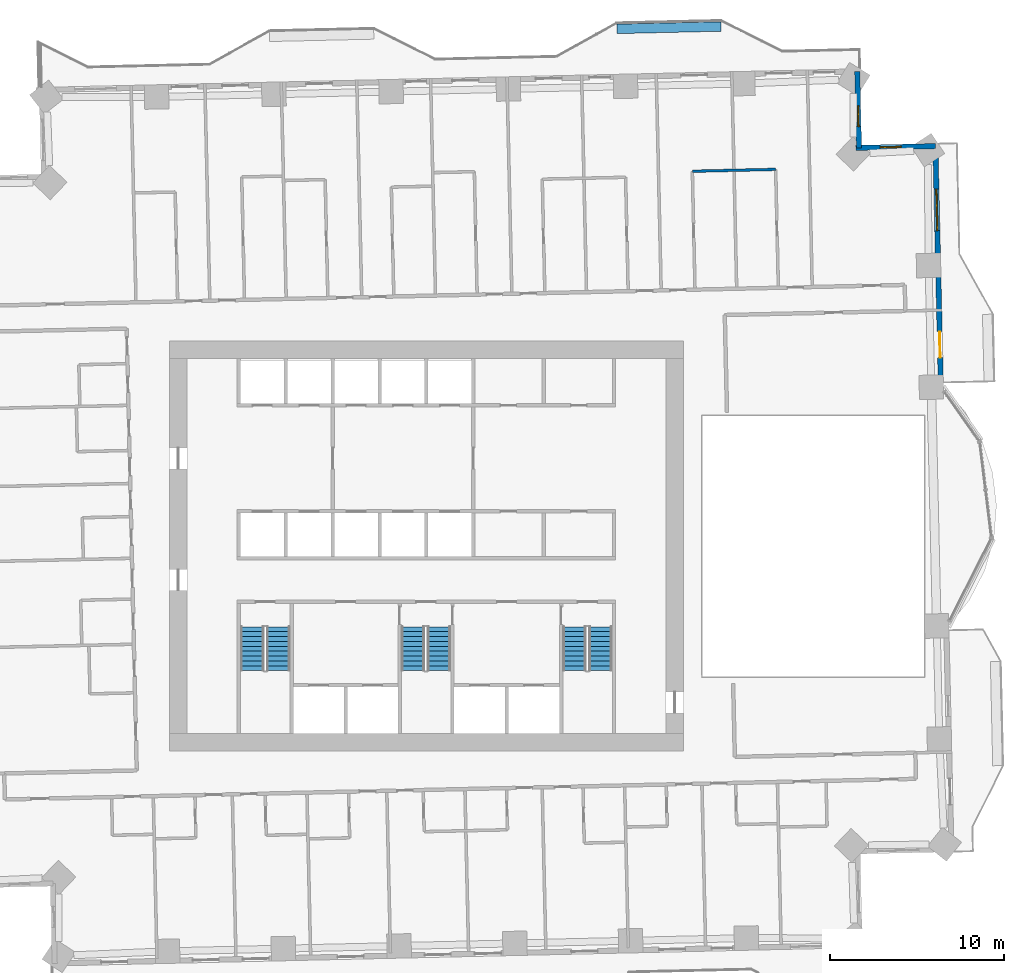
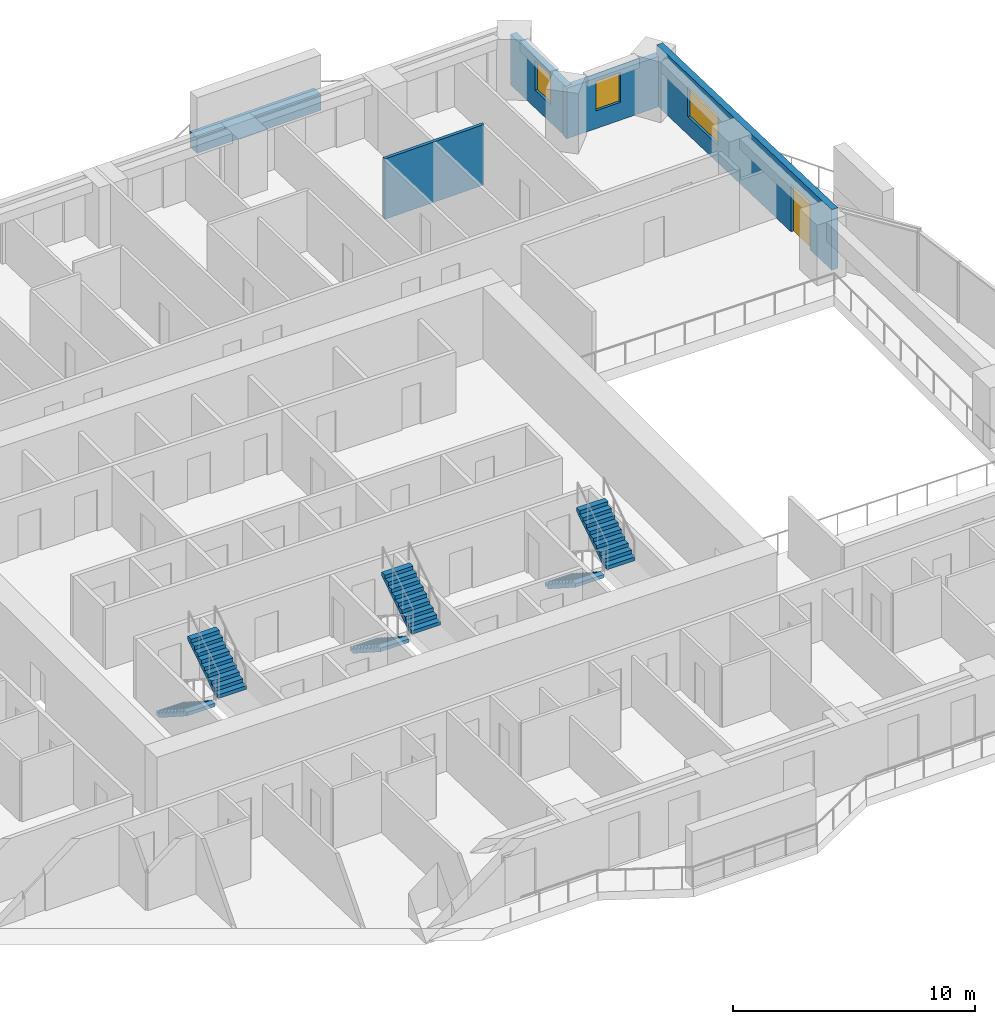
# One storey, part 13 of 17: 6 stair flights, 5 walls, 3 windows, 1 door, 4 openings, 3 elements without a shape of their own.
"""IFC4 building model written with IfcOpenShell, lengths in metres."""

from ifc_helpers import new_model, si_unit, direction, frame, frame_2d, origin, place, context, subcontext, project, spatial, polyline, rectangle, outline, extrude, material, layer, layer_set, type_object, element, fill, aggregate, save


model = new_model("IFC4")

# Units and contexts
model_context = context("Model", 3, precision=1e-05, world=origin(), true_north=direction((0.0, 1.0)))
body_context = subcontext(model_context, "Body", "Model", "MODEL_VIEW")
ifc_project = project(units=[si_unit("LENGTHUNIT", "METRE"), si_unit("AREAUNIT", "SQUARE_METRE"), si_unit("VOLUMEUNIT", "CUBIC_METRE"), si_unit("PLANEANGLEUNIT", "RADIAN"), si_unit("MASSUNIT", "GRAM", prefix="KILO")], contexts=[model_context])

# Site, building, storey
site_placement = place(None, origin())
site = spatial("IfcSite", under=ifc_project, at=site_placement, CompositionType="ELEMENT")
building_placement = place(site_placement, origin())
building = spatial("IfcBuilding", under=site, at=building_placement, Name="Mangrove Gate Tower", CompositionType="ELEMENT")
storey_placement = place(building_placement, frame((0.0, 0.0, 93.699951171875)))
storey = spatial("IfcBuildingStorey", under=building, at=storey_placement, Name="L23", CompositionType="ELEMENT", Elevation=93.699951171875)

# Wall, openings, door, window
ifc_material_1 = material(Name="Limestone", Category="masonry")
ifc_layer_1 = layer(ifc_material_1, 0.0400390625, Name="Limestone cladding")
ifc_material_2 = material(Name="Ventilated air gap")
ifc_layer_2 = layer(ifc_material_2, 0.0400390625, Name="Ventilated cavity")
ifc_material_3 = material(Name="Mineral wool insulation")
ifc_layer_3 = layer(ifc_material_3, 0.06005859375, Name="Insulation")
ifc_material_4 = material(Name="Breather membrane")
ifc_layer_4 = layer(ifc_material_4, 0.001953125, Name="Breather membrane")
ifc_material_5 = material(Name="Concrete C20/25 blockwork", Category="masonry")
ifc_layer_5 = layer(ifc_material_5, 0.14990234375, Name="Blockwork backing wall")
ifc_material_6 = material(Name="Gypsum plaster")
ifc_layer_6 = layer(ifc_material_6, 0.008056640625, Name="Internal plaster")
ifc_layer_set_1 = layer_set([ifc_layer_1, ifc_layer_2, ifc_layer_3, ifc_layer_4, ifc_layer_5, ifc_layer_6], Name="External wall 300 limestone cladding")
wall_type_1 = type_object("IfcWallType", Name="External wall 300 limestone cladding", PredefinedType="SOLIDWALL", material=ifc_layer_set_1)
wall_1_placement = place(storey_placement, frame((29.6240234375, 9.10791015625, 0.0), z_axis=(0.0, 0.0, 1.0), x_axis=(-0.022679601751, 0.999742784752, 0.0)))
wall_1 = element("IfcWall", 1, at=wall_1_placement, inside=storey, type_object=wall_type_1, Name="WALL-L23-E2", PredefinedType="SOLIDWALL", context=body_context, shape_type="SweptSolid", body=[
    extrude(rectangle(XDim=13.9296875, YDim=0.300048828125, at=frame_2d((6.96484375, 0.0))), origin(), (0.0, 0.0, 1.0), 3.050048828125),
])
opening_1_placement = place(wall_1_placement, frame((1.741943359375, 0.0, 0.0)))
opening_1 = element("IfcOpeningElement", 2, at=opening_1_placement, cuts=wall_1, Name="Opening BD1", PredefinedType="OPENING", context=body_context, shape_type="SweptSolid", body=[
    extrude(rectangle(XDim=1.5, YDim=2.39990234375, at=frame_2d((0.75, 1.199951171875))), frame((0.0, 0.159912109375, 0.0), z_axis=(0.0, -1.0, 0.0), x_axis=(1.0, 0.0, 0.0)), (0.0, 0.0, 1.0), 0.320068359375),
])
opening_2_placement = place(wall_1_placement, frame((9.053955078125, 0.0, 0.89990234375)))
opening_2 = element("IfcOpeningElement", 3, at=opening_2_placement, cuts=wall_1, Name="Opening W2", PredefinedType="OPENING", context=body_context, shape_type="SweptSolid", body=[
    extrude(rectangle(XDim=2.39990234375, YDim=1.5, at=frame_2d((1.199951171875, 0.75))), frame((0.0, 0.159912109375, 0.0), z_axis=(0.0, -1.0, 0.0), x_axis=(1.0, 0.0, 0.0)), (0.0, 0.0, 1.0), 0.320068359375),
])
ifc_material_7 = material(Name="Aluminium frame with laminated clear glass", Category="aluminium")
door_type = type_object("IfcDoorType", Name="Balcony sliding door 1500x2400", OperationType="SLIDING_TO_LEFT", PredefinedType="DOOR", material=ifc_material_7)
door_placement = place(opening_1_placement, origin())
door = element("IfcDoor", 4, at=door_placement, inside=storey, type_object=door_type, Name="DOOR-L23-E2-1", OperationType="SLIDING_TO_LEFT", OverallHeight=2.39990234375, OverallWidth=1.5, PredefinedType="DOOR", context=body_context, shape_type="SweptSolid", body=[
    extrude(rectangle(XDim=1.5, YDim=2.39990234375, at=frame_2d((0.75, 1.199951171875))), frame((0.0, 0.02490234375, 0.0), z_axis=(0.0, -1.0, 0.0), x_axis=(1.0, 0.0, 0.0)), (0.0, 0.0, 1.0), 0.050048828125),
])
fill(opening_1, door)
ifc_material_8 = material(Name="Aluminium frame with double-glazed low-e glass", Category="aluminium")
window_type_1 = type_object("IfcWindowType", Name="Corner room window 2400x1500", PartitioningType="DOUBLE_PANEL_VERTICAL", PredefinedType="WINDOW", material=ifc_material_8)
window_1_placement = place(opening_2_placement, origin())
window_1 = element("IfcWindow", 5, at=window_1_placement, inside=storey, type_object=window_type_1, Name="WIN-L23-E2-2", OverallHeight=1.5, OverallWidth=2.39990234375, PartitioningType="DOUBLE_PANEL_VERTICAL", PredefinedType="WINDOW", context=body_context, shape_type="SweptSolid", body=[
    extrude(rectangle(XDim=2.39990234375, YDim=1.5, at=frame_2d((1.199951171875, 0.75))), frame((0.0, 0.030029296875, 0.0), z_axis=(0.0, -1.0, 0.0), x_axis=(1.0, 0.0, 0.0)), (0.0, 0.0, 1.0), 0.06005859375),
])
fill(opening_2, window_1)

# Wall, opening, window
wall_2_placement = place(storey_placement, frame((29.30810546875, 23.033935546875, 0.0), z_axis=(0.0, 0.0, 1.0), x_axis=(-0.999742851358, -0.022676665496, 0.0)))
wall_2 = element("IfcWall", 6, at=wall_2_placement, inside=storey, type_object=wall_type_1, Name="WALL-L23-N3s1", PredefinedType="SOLIDWALL", context=body_context, shape_type="SweptSolid", body=[
    extrude(rectangle(XDim=4.58642578125, YDim=0.300048828125, at=frame_2d((2.293212890625, 0.0))), origin(), (0.0, 0.0, 1.0), 2.550048828125),
])
opening_3_placement = place(wall_2_placement, frame((1.98095703125, 0.0, 0.89990234375)))
opening_3 = element("IfcOpeningElement", 7, at=opening_3_placement, cuts=wall_2, Name="Opening W1", PredefinedType="OPENING", context=body_context, shape_type="SweptSolid", body=[
    extrude(rectangle(XDim=1.199951171875, YDim=1.5, at=frame_2d((0.60009765625, 0.75))), frame((0.0, 0.159912109375, 0.0), z_axis=(0.0, -1.0, 0.0), x_axis=(1.0, 0.0, 0.0)), (0.0, 0.0, 1.0), 0.320068359375),
])
ifc_material_9 = material(Name="Aluminium frame with double-glazed low-e glass", Category="aluminium")
window_type_2 = type_object("IfcWindowType", Name="Side lite 1200x1500", PartitioningType="SINGLE_PANEL", PredefinedType="WINDOW", material=ifc_material_9)
window_2_placement = place(opening_3_placement, origin())
window_2 = element("IfcWindow", 8, at=window_2_placement, inside=storey, type_object=window_type_2, Name="WIN-L23-N3-1", OverallHeight=1.5, OverallWidth=1.199951171875, PartitioningType="SINGLE_PANEL", PredefinedType="WINDOW", context=body_context, shape_type="SweptSolid", body=[
    extrude(rectangle(XDim=1.199951171875, YDim=1.5, at=frame_2d((0.60009765625, 0.75))), frame((0.0, 0.030029296875, 0.0), z_axis=(0.0, -1.0, 0.0), x_axis=(1.0, 0.0, 0.0)), (0.0, 0.0, 1.0), 0.06005859375),
])
fill(opening_3, window_2)

wall_3_placement = place(storey_placement, frame((24.908935546875, 22.93408203125, 0.0), z_axis=(0.0, 0.0, 1.0), x_axis=(-0.022693676786, 0.999742465355, 0.0)))
wall_3 = element("IfcWall", 9, at=wall_3_placement, inside=storey, type_object=wall_type_1, Name="WALL-L23-E4", PredefinedType="SOLIDWALL", context=body_context, shape_type="SweptSolid", body=[
    extrude(rectangle(XDim=4.400146484375, YDim=0.300048828125, at=frame_2d((2.2001953125, 0.0))), origin(), (0.0, 0.0, 1.0), 2.550048828125),
])
opening_4_placement = place(wall_3_placement, frame((1.219970703125, 0.0, 0.89990234375)))
opening_4 = element("IfcOpeningElement", 10, at=opening_4_placement, cuts=wall_3, Name="Opening W1", PredefinedType="OPENING", context=body_context, shape_type="SweptSolid", body=[
    extrude(rectangle(XDim=1.199951171875, YDim=1.5, at=frame_2d((0.60009765625, 0.75))), frame((0.0, 0.159912109375, 0.0), z_axis=(0.0, -1.0, 0.0), x_axis=(1.0, 0.0, 0.0)), (0.0, 0.0, 1.0), 0.320068359375),
])
window_3_placement = place(opening_4_placement, origin())
window_3 = element("IfcWindow", 11, at=window_3_placement, inside=storey, type_object=window_type_2, Name="WIN-L23-E4-1", OverallHeight=1.5, OverallWidth=1.199951171875, PartitioningType="SINGLE_PANEL", PredefinedType="WINDOW", context=body_context, shape_type="SweptSolid", body=[
    extrude(rectangle(XDim=1.199951171875, YDim=1.5, at=frame_2d((0.60009765625, 0.75))), frame((0.0, 0.030029296875, 0.0), z_axis=(0.0, -1.0, 0.0), x_axis=(1.0, 0.0, 0.0)), (0.0, 0.0, 1.0), 0.06005859375),
])
fill(opening_4, window_3)

# Walls
ifc_material_10 = material(Name="Gypsum board on steel stud, EI 60", Category="steel")
ifc_layer_7 = layer(ifc_material_10, 0.14990234375)
ifc_layer_set_2 = layer_set([ifc_layer_7], Name="Party wall 150 EI 60")
wall_type_2 = type_object("IfcWallType", Name="Party wall 150 EI 60", PredefinedType="PARTITIONING", material=ifc_layer_set_2)
wall_4_placement = place(storey_placement, frame((15.31494140625, 21.5859375, 0.0), z_axis=(0.0, 0.0, 1.0), x_axis=(0.99974154664, 0.022734113616, 0.0)))
element("IfcWall", 12, at=wall_4_placement, inside=storey, type_object=wall_type_2, Name="WALL-L23-083", PredefinedType="PARTITIONING", context=body_context, shape_type="SweptSolid", body=[
    extrude(rectangle(XDim=4.80029296875, YDim=0.14990234375, at=frame_2d((2.400146484375, 0.0))), origin(), (0.0, 0.0, 1.0), 3.050048828125),
])
ifc_material_11 = material(Name="Concrete C32/40", Category="concrete")
ifc_layer_8 = layer(ifc_material_11, 0.199951171875, Name="Planter trough wall")
ifc_material_12 = material(Name="Bituminous waterproofing membrane")
ifc_layer_9 = layer(ifc_material_12, 0.0048828125, Name="Waterproofing")
ifc_material_13 = material(Name="Drainage board and gravel")
ifc_layer_10 = layer(ifc_material_13, 0.044921875, Name="Drainage layer")
ifc_material_14 = material(Name="Planting soil")
ifc_layer_11 = layer(ifc_material_14, 0.300048828125, Name="Growing medium")
ifc_layer_set_3 = layer_set([ifc_layer_8, ifc_layer_9, ifc_layer_10, ifc_layer_11], Name="Planter wall 550 C32/40")
wall_type_3 = type_object("IfcWallType", Name="Planter wall 550 C32/40", PredefinedType="USERDEFINED", material=ifc_layer_set_3)
wall_5_placement = place(storey_placement, frame((10.964111328125, 29.784912109375, 0.0), z_axis=(0.0, 0.0, 1.0), x_axis=(0.999743073592, 0.022666865795, 0.0)))
element("IfcWall", 13, at=wall_5_placement, inside=storey, type_object=wall_type_3, Name="PLANTER L23 N0.1", ObjectType="PLANTER", PredefinedType="USERDEFINED", context=body_context, shape_type="SweptSolid", body=[
    extrude(rectangle(XDim=5.999267578125, YDim=0.550048828125, at=frame_2d((2.99951171875, 0.0))), origin(), (0.0, 0.0, 1.0), 0.800048828125),
])

# Stair, stair flights
ifc_material_15 = material(Name="Concrete C40/50", Category="concrete")
stair_type = type_object("IfcStairType", Name="Core stair 1350", PredefinedType="HALF_TURN_STAIR", material=ifc_material_15)
stair_1_placement = place(storey_placement, origin())
stair_1 = element("IfcStair", 14, at=stair_1_placement, inside=storey, type_object=stair_type, Name="L23 Stair 1", PredefinedType="HALF_TURN_STAIR")
ifc_material_16 = material(Name="Concrete C40/50", Category="concrete")
stair_flight_type = type_object("IfcStairFlightType", Name="Core stair flight 1350", PredefinedType="STRAIGHT", material=ifc_material_16)
stair_flight_1_placement = place(storey_placement, frame((-10.02490234375, -4.64990234375, 0.0), z_axis=(0.0, 0.0, 1.0), x_axis=(0.0, -1.0, 0.0)))
stair_flight_1 = element("IfcStairFlight", 15, at=stair_flight_1_placement, type_object=stair_flight_type, Name="ST1 flight 1", NumberOfRisers=10, NumberOfTreads=9, PredefinedType="STRAIGHT", RiserHeight=0.18, TreadLength=0.28, context=body_context, shape_type="SweptSolid", body=[
    extrude(outline(polyline([(0.0, 0.0), (0.0, 0.179931640625), (0.280029296875, 0.179931640625), (0.280029296875, 0.360107421875), (0.56005859375, 0.360107421875), (0.56005859375, 0.5400390625), (0.840087890625, 0.5400390625), (0.840087890625, 0.719970703125), (1.1201171875, 0.719970703125), (1.1201171875, 0.89990234375), (1.39990234375, 0.89990234375), (1.39990234375, 1.080078125), (1.679931640625, 1.080078125), (1.679931640625, 1.260009765625), (1.9599609375, 1.260009765625), (1.9599609375, 1.43994140625), (2.239990234375, 1.43994140625), (2.239990234375, 1.6201171875), (2.52001953125, 1.6201171875), (2.52001953125, 1.800048828125), (2.52001953125, 1.44189453125), (0.277099609375, 0.0), (0.0, 0.0)])), frame((0.0, 0.675048828125, 0.0), z_axis=(0.0, -1.0, 0.0), x_axis=(1.0, 0.0, 0.0)), (0.0, 0.0, 1.0), 1.35009765625),
])
stair_flight_2_placement = place(storey_placement, frame((-8.52490234375, -7.169921875, 1.800048828125), z_axis=(0.0, 0.0, 1.0), x_axis=(0.0, 1.0, 0.0)))
stair_flight_2 = element("IfcStairFlight", 16, at=stair_flight_2_placement, type_object=stair_flight_type, Name="ST1 flight 2", NumberOfRisers=10, NumberOfTreads=9, PredefinedType="STRAIGHT", RiserHeight=0.18, TreadLength=0.28, context=body_context, shape_type="SweptSolid", body=[
    extrude(outline(polyline([(0.0, 0.0), (0.0, 0.179931640625), (0.280029296875, 0.179931640625), (0.280029296875, 0.360107421875), (0.56005859375, 0.360107421875), (0.56005859375, 0.5400390625), (0.840087890625, 0.5400390625), (0.840087890625, 0.719970703125), (1.1201171875, 0.719970703125), (1.1201171875, 0.89990234375), (1.39990234375, 0.89990234375), (1.39990234375, 1.080078125), (1.679931640625, 1.080078125), (1.679931640625, 1.260009765625), (1.9599609375, 1.260009765625), (1.9599609375, 1.43994140625), (2.239990234375, 1.43994140625), (2.239990234375, 1.6201171875), (2.52001953125, 1.6201171875), (2.52001953125, 1.800048828125), (2.52001953125, 1.44189453125), (0.277099609375, 0.0), (0.0, 0.0)])), frame((0.0, 0.675048828125, 0.0), z_axis=(0.0, -1.0, 0.0), x_axis=(1.0, 0.0, 0.0)), (0.0, 0.0, 1.0), 1.35009765625),
])
aggregate(stair_1, [stair_flight_1, stair_flight_2])

stair_2_placement = place(storey_placement, origin())
stair_2 = element("IfcStair", 17, at=stair_2_placement, inside=storey, type_object=stair_type, Name="L23 Stair 2", PredefinedType="HALF_TURN_STAIR")
stair_flight_3_placement = place(storey_placement, frame((-0.77490234375, -4.64990234375, 0.0), z_axis=(0.0, 0.0, 1.0), x_axis=(0.0, -1.0, 0.0)))
stair_flight_3 = element("IfcStairFlight", 18, at=stair_flight_3_placement, type_object=stair_flight_type, Name="ST2 flight 1", NumberOfRisers=10, NumberOfTreads=9, PredefinedType="STRAIGHT", RiserHeight=0.18, TreadLength=0.28, context=body_context, shape_type="SweptSolid", body=[
    extrude(outline(polyline([(0.0, 0.0), (0.0, 0.179931640625), (0.280029296875, 0.179931640625), (0.280029296875, 0.360107421875), (0.56005859375, 0.360107421875), (0.56005859375, 0.5400390625), (0.840087890625, 0.5400390625), (0.840087890625, 0.719970703125), (1.1201171875, 0.719970703125), (1.1201171875, 0.89990234375), (1.39990234375, 0.89990234375), (1.39990234375, 1.080078125), (1.679931640625, 1.080078125), (1.679931640625, 1.260009765625), (1.9599609375, 1.260009765625), (1.9599609375, 1.43994140625), (2.239990234375, 1.43994140625), (2.239990234375, 1.6201171875), (2.52001953125, 1.6201171875), (2.52001953125, 1.800048828125), (2.52001953125, 1.44189453125), (0.277099609375, 0.0), (0.0, 0.0)])), frame((0.0, 0.675048828125, 0.0), z_axis=(0.0, -1.0, 0.0), x_axis=(1.0, 0.0, 0.0)), (0.0, 0.0, 1.0), 1.35009765625),
])
stair_flight_4_placement = place(storey_placement, frame((0.72509765625, -7.169921875, 1.800048828125), z_axis=(0.0, 0.0, 1.0), x_axis=(0.0, 1.0, 0.0)))
stair_flight_4 = element("IfcStairFlight", 19, at=stair_flight_4_placement, type_object=stair_flight_type, Name="ST2 flight 2", NumberOfRisers=10, NumberOfTreads=9, PredefinedType="STRAIGHT", RiserHeight=0.18, TreadLength=0.28, context=body_context, shape_type="SweptSolid", body=[
    extrude(outline(polyline([(0.0, 0.0), (0.0, 0.179931640625), (0.280029296875, 0.179931640625), (0.280029296875, 0.360107421875), (0.56005859375, 0.360107421875), (0.56005859375, 0.5400390625), (0.840087890625, 0.5400390625), (0.840087890625, 0.719970703125), (1.1201171875, 0.719970703125), (1.1201171875, 0.89990234375), (1.39990234375, 0.89990234375), (1.39990234375, 1.080078125), (1.679931640625, 1.080078125), (1.679931640625, 1.260009765625), (1.9599609375, 1.260009765625), (1.9599609375, 1.43994140625), (2.239990234375, 1.43994140625), (2.239990234375, 1.6201171875), (2.52001953125, 1.6201171875), (2.52001953125, 1.800048828125), (2.52001953125, 1.44189453125), (0.277099609375, 0.0), (0.0, 0.0)])), frame((0.0, 0.675048828125, 0.0), z_axis=(0.0, -1.0, 0.0), x_axis=(1.0, 0.0, 0.0)), (0.0, 0.0, 1.0), 1.35009765625),
])
aggregate(stair_2, [stair_flight_3, stair_flight_4])

stair_3_placement = place(storey_placement, origin())
stair_3 = element("IfcStair", 20, at=stair_3_placement, inside=storey, type_object=stair_type, Name="L23 Stair 3", PredefinedType="HALF_TURN_STAIR")
stair_flight_5_placement = place(storey_placement, frame((8.52490234375, -4.64990234375, 0.0), z_axis=(0.0, 0.0, 1.0), x_axis=(0.0, -1.0, 0.0)))
stair_flight_5 = element("IfcStairFlight", 21, at=stair_flight_5_placement, type_object=stair_flight_type, Name="ST3 flight 1", NumberOfRisers=10, NumberOfTreads=9, PredefinedType="STRAIGHT", RiserHeight=0.18, TreadLength=0.28, context=body_context, shape_type="SweptSolid", body=[
    extrude(outline(polyline([(0.0, 0.0), (0.0, 0.179931640625), (0.280029296875, 0.179931640625), (0.280029296875, 0.360107421875), (0.56005859375, 0.360107421875), (0.56005859375, 0.5400390625), (0.840087890625, 0.5400390625), (0.840087890625, 0.719970703125), (1.1201171875, 0.719970703125), (1.1201171875, 0.89990234375), (1.39990234375, 0.89990234375), (1.39990234375, 1.080078125), (1.679931640625, 1.080078125), (1.679931640625, 1.260009765625), (1.9599609375, 1.260009765625), (1.9599609375, 1.43994140625), (2.239990234375, 1.43994140625), (2.239990234375, 1.6201171875), (2.52001953125, 1.6201171875), (2.52001953125, 1.800048828125), (2.52001953125, 1.44189453125), (0.277099609375, 0.0), (0.0, 0.0)])), frame((0.0, 0.675048828125, 0.0), z_axis=(0.0, -1.0, 0.0), x_axis=(1.0, 0.0, 0.0)), (0.0, 0.0, 1.0), 1.35009765625),
])
stair_flight_6_placement = place(storey_placement, frame((10.02490234375, -7.169921875, 1.800048828125), z_axis=(0.0, 0.0, 1.0), x_axis=(0.0, 1.0, 0.0)))
stair_flight_6 = element("IfcStairFlight", 22, at=stair_flight_6_placement, type_object=stair_flight_type, Name="ST3 flight 2", NumberOfRisers=10, NumberOfTreads=9, PredefinedType="STRAIGHT", RiserHeight=0.18, TreadLength=0.28, context=body_context, shape_type="SweptSolid", body=[
    extrude(outline(polyline([(0.0, 0.0), (0.0, 0.179931640625), (0.280029296875, 0.179931640625), (0.280029296875, 0.360107421875), (0.56005859375, 0.360107421875), (0.56005859375, 0.5400390625), (0.840087890625, 0.5400390625), (0.840087890625, 0.719970703125), (1.1201171875, 0.719970703125), (1.1201171875, 0.89990234375), (1.39990234375, 0.89990234375), (1.39990234375, 1.080078125), (1.679931640625, 1.080078125), (1.679931640625, 1.260009765625), (1.9599609375, 1.260009765625), (1.9599609375, 1.43994140625), (2.239990234375, 1.43994140625), (2.239990234375, 1.6201171875), (2.52001953125, 1.6201171875), (2.52001953125, 1.800048828125), (2.52001953125, 1.44189453125), (0.277099609375, 0.0), (0.0, 0.0)])), frame((0.0, 0.675048828125, 0.0), z_axis=(0.0, -1.0, 0.0), x_axis=(1.0, 0.0, 0.0)), (0.0, 0.0, 1.0), 1.35009765625),
])
aggregate(stair_3, [stair_flight_5, stair_flight_6])

save(model, "model.ifc")
